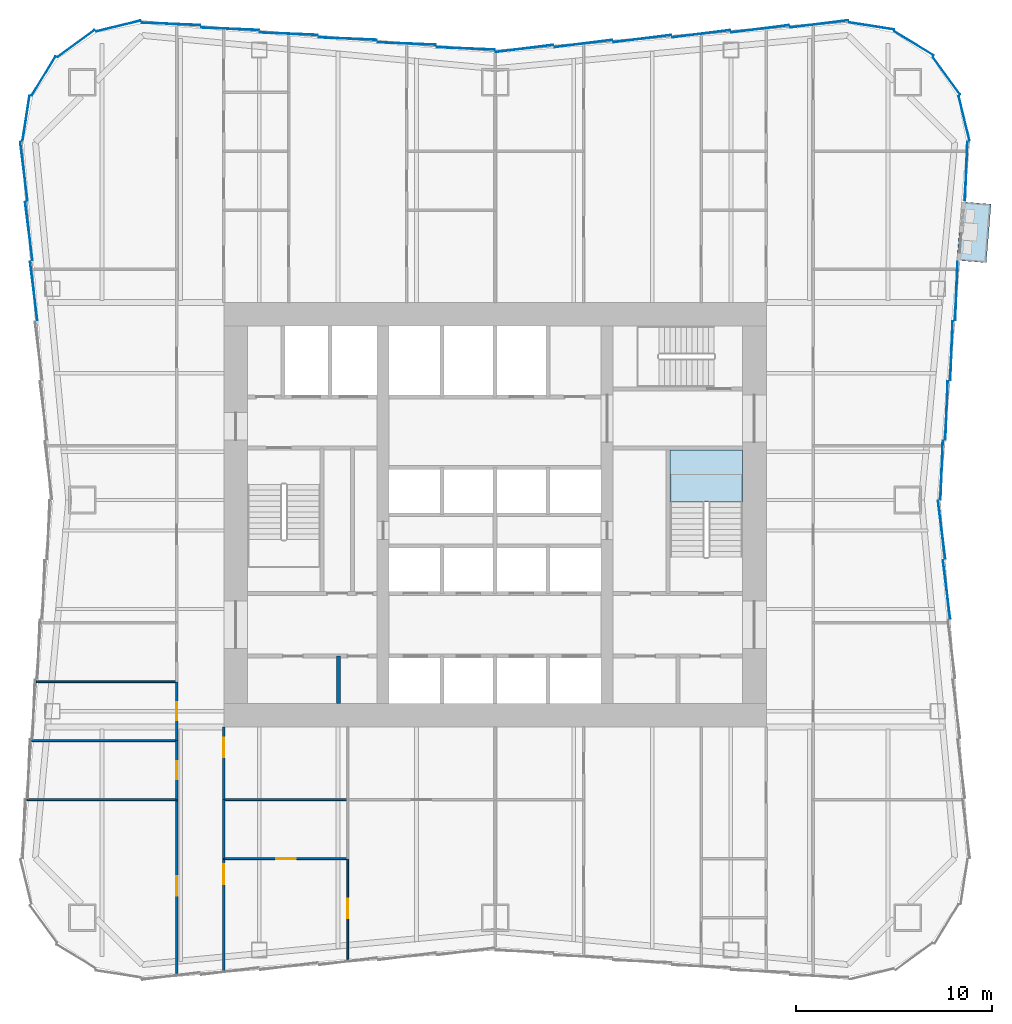
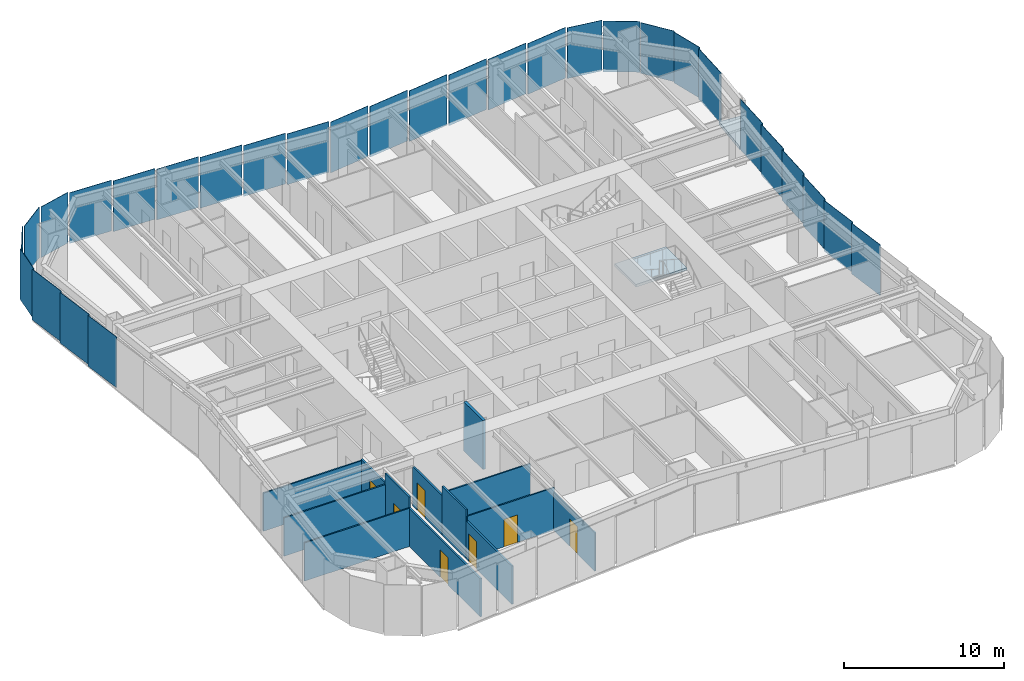
# One storey, part 3 of 9: 30 plates, 13 walls, 7 doors, 2 slabs, 7 openings, 6 elements without a shape of their own.
"""IFC4 building model written with IfcOpenShell, lengths in metres."""

from ifc_helpers import new_model, si_unit, direction, frame, frame_2d, origin, origin_2d, place, context, subcontext, project, spatial, polyline, rectangle, outline, extrude, material, layer, layer_set, type_object, element, fill, aggregate, save


model = new_model("IFC4")

# Units and contexts
model_context = context("Model", 3, precision=1e-05, world=origin(), true_north=direction((0.0, 1.0)))
body_context = subcontext(model_context, "Body", "Model", "MODEL_VIEW")
ifc_project = project(units=[si_unit("LENGTHUNIT", "METRE"), si_unit("AREAUNIT", "SQUARE_METRE"), si_unit("VOLUMEUNIT", "CUBIC_METRE"), si_unit("PLANEANGLEUNIT", "RADIAN"), si_unit("MASSUNIT", "GRAM", prefix="KILO")], contexts=[model_context])

# Site, building, storey
site_placement = place(None, origin())
site = spatial("IfcSite", under=ifc_project, at=site_placement, CompositionType="ELEMENT")
building_placement = place(site_placement, origin())
building = spatial("IfcBuilding", under=site, at=building_placement, Name="Verdant Reach Tower", CompositionType="ELEMENT")
storey_placement = place(building_placement, frame((0.0, 0.0, 110.0)))
storey = spatial("IfcBuildingStorey", under=building, at=storey_placement, Name="L25", CompositionType="ELEMENT", Elevation=110.0)

# Stair, slab
ifc_material_1 = material(Name="Concrete C40/50", Category="concrete")
stair_type = type_object("IfcStairType", Name="CO-STAIR", PredefinedType="HALF_TURN_STAIR", material=ifc_material_1)
stair_placement = place(storey_placement, origin())
stair = element("IfcStair", 1, at=stair_placement, inside=storey, type_object=stair_type, Name="L25 Exit stair 2", PredefinedType="HALF_TURN_STAIR")
ifc_layer_1 = layer(ifc_material_1, 0.199951171875)
ifc_layer_set_1 = layer_set([ifc_layer_1], Name="CO-STAIR-LANDING")
slab_type_1 = type_object("IfcSlabType", Name="CO-STAIR-LANDING", PredefinedType="LANDING", material=ifc_layer_set_1)
slab_1_placement = place(storey_placement, frame((0.0, 0.0, 1.800048828125)))
slab_1 = element("IfcSlab", 2, at=slab_1_placement, type_object=slab_type_1, Name="ST-2 landing 1", PredefinedType="LANDING", context=body_context, shape_type="SweptSolid", body=[
    extrude(outline(polyline([(12.60009765625, 28.64990234375), (12.60009765625, 31.300048828125), (8.89990234375, 31.300048828125), (8.89990234375, 28.64990234375), (12.60009765625, 28.64990234375)])), origin(), (0.0, 0.0, 1.0), 0.199951171875),
])
aggregate(stair, [slab_1])

# Slab
ifc_material_2 = material(Name="Concrete C35/45", Category="concrete")
ifc_layer_2 = layer(ifc_material_2, 0.25)
ifc_layer_set_2 = layer_set([ifc_layer_2], Name="EN-BALCONY SLAB")
slab_type_2 = type_object("IfcSlabType", Name="EN-BALCONY SLAB", PredefinedType="FLOOR", material=ifc_layer_set_2)
slab_2_placement = place(storey_placement, frame((0.0, 0.0, -0.25)))
element("IfcSlab", 3, at=slab_2_placement, inside=storey, type_object=slab_type_2, Name="Balcony slab 1, L25", PredefinedType="FLOOR", context=body_context, shape_type="SweptSolid", body=[
    extrude(outline(polyline([(23.50244140625, 40.947509765625), (23.74755859375, 43.927490234375), (25.242431640625, 43.804443359375), (24.99755859375, 40.82470703125), (23.50244140625, 40.947509765625)])), origin(), (0.0, 0.0, 1.0), 0.25),
])

# Curtain wall, plates
ifc_material_3 = material(Name="Anodised aluminium", Category="aluminium")
curtain_wall_type = type_object("IfcCurtainWallType", Name="EN-CW SYSTEM Z1", PredefinedType="NOTDEFINED", material=ifc_material_3)
curtain_wall_1_placement = place(storey_placement, origin())
curtain_wall_1 = element("IfcCurtainWall", 4, at=curtain_wall_1_placement, inside=storey, type_object=curtain_wall_type, Name="Curtain wall east, L25", PredefinedType="NOTDEFINED")
ifc_material_4 = material(Name="Tinted glass with champagne spandrel", Category="glass")
ifc_layer_3 = layer(ifc_material_4, 0.031982421875)
ifc_layer_set_3 = layer_set([ifc_layer_3], Name="EN-PANEL CHAMPAGNE")
plate_type_1 = type_object("IfcPlateType", Name="EN-PANEL CHAMPAGNE", PredefinedType="CURTAIN_PANEL", material=ifc_layer_set_3)
plate_1_placement = place(storey_placement, frame((22.9775390625, 24.196044921875, -0.22802734375), z_axis=(0.0, 0.0, 1.0), x_axis=(-0.123578623975, 0.992334784081, 0.0)))
plate_1 = element("IfcPlate", 5, at=plate_1_placement, type_object=plate_type_1, Name="Glass panel east face part 1 5.1, L25", PredefinedType="CURTAIN_PANEL", context=body_context, shape_type="SweptSolid", body=[
    extrude(rectangle(XDim=2.993896484375, YDim=0.031982421875, at=origin_2d()), origin(), (0.0, 0.0, 1.0), 3.8779296875),
])
plate_2_placement = place(storey_placement, frame((23.977783203125, 45.477783203125, -0.22802734375), z_axis=(0.0, 0.0, 1.0), x_axis=(0.039784239139, 0.999208293759, 0.0)))
plate_2 = element("IfcPlate", 6, at=plate_2_placement, type_object=plate_type_1, Name="Glass panel east face part 2 6.1, L25", PredefinedType="CURTAIN_PANEL", context=body_context, shape_type="SweptSolid", body=[
    extrude(rectangle(XDim=3.00830078125, YDim=0.031982421875, at=origin_2d()), origin(), (0.0, 0.0, 1.0), 3.8779296875),
])

curtain_wall_2_placement = place(storey_placement, origin())
curtain_wall_2 = element("IfcCurtainWall", 7, at=curtain_wall_2_placement, inside=storey, type_object=curtain_wall_type, Name="Curtain wall north-east corner, L25", PredefinedType="NOTDEFINED")
plate_3_placement = place(storey_placement, frame((21.325439453125, 51.97705078125, -0.22802734375), z_axis=(0.0, 0.0, 1.0), x_axis=(-0.85398868836, 0.520291572248, 0.0)))
plate_3 = element("IfcPlate", 8, at=plate_3_placement, type_object=plate_type_1, Name="Glass panel north-east corner 3.1, L25", PredefinedType="CURTAIN_PANEL", context=body_context, shape_type="SweptSolid", body=[
    extrude(rectangle(XDim=2.3232421875, YDim=0.031982421875, at=origin_2d()), origin(), (0.0, 0.0, 1.0), 3.8779296875),
])
plate_4_placement = place(storey_placement, frame((19.170654296875, 52.87060546875, -0.22802734375), z_axis=(0.0, 0.0, 1.0), x_axis=(-0.988032704995, 0.154244526195, 0.0)))
plate_4 = element("IfcPlate", 9, at=plate_4_placement, type_object=plate_type_1, Name="Glass panel north-east corner 4.1, L25", PredefinedType="CURTAIN_PANEL", context=body_context, shape_type="SweptSolid", body=[
    extrude(rectangle(XDim=2.317626953125, YDim=0.031982421875, at=origin_2d()), origin(), (0.0, 0.0, 1.0), 3.8779296875),
])

curtain_wall_3_placement = place(storey_placement, origin())
curtain_wall_3 = element("IfcCurtainWall", 10, at=curtain_wall_3_placement, inside=storey, type_object=curtain_wall_type, Name="Curtain wall north, L25", PredefinedType="NOTDEFINED")
plate_5_placement = place(storey_placement, frame((13.491455078125, 52.7275390625, -0.22802734375), z_axis=(0.0, 0.0, 1.0), x_axis=(-0.992194034542, -0.124703639961, 0.0)))
plate_5 = element("IfcPlate", 11, at=plate_5_placement, type_object=plate_type_1, Name="Glass panel north face part 1 2.1, L25", PredefinedType="CURTAIN_PANEL", context=body_context, shape_type="SweptSolid", body=[
    extrude(rectangle(XDim=2.952392578125, YDim=0.031982421875, at=origin_2d()), origin(), (0.0, 0.0, 1.0), 3.8779296875),
])
plate_6_placement = place(storey_placement, frame((10.491455078125, 52.4775390625, -0.22802734375), z_axis=(0.0, 0.0, 1.0), x_axis=(-0.992194034542, -0.124703639961, 0.0)))
plate_6 = element("IfcPlate", 12, at=plate_6_placement, type_object=plate_type_1, Name="Glass panel north face part 1 3.1, L25", PredefinedType="CURTAIN_PANEL", context=body_context, shape_type="SweptSolid", body=[
    extrude(rectangle(XDim=2.952392578125, YDim=0.031982421875, at=origin_2d()), origin(), (0.0, 0.0, 1.0), 3.8779296875),
])
plate_7_placement = place(storey_placement, frame((-7.491455078125, 52.2275390625, -0.22802734375), z_axis=(0.0, 0.0, 1.0), x_axis=(-0.999149202059, 0.041241629766, 0.0)))
plate_7 = element("IfcPlate", 13, at=plate_7_placement, type_object=plate_type_1, Name="Glass panel north face part 2 3.1, L25", PredefinedType="CURTAIN_PANEL", context=body_context, shape_type="SweptSolid", body=[
    extrude(rectangle(XDim=2.952392578125, YDim=0.031982421875, at=origin_2d()), origin(), (0.0, 0.0, 1.0), 3.8779296875),
])
plate_8_placement = place(storey_placement, frame((-10.491455078125, 52.4775390625, -0.22802734375), z_axis=(0.0, 0.0, 1.0), x_axis=(-0.999149202059, 0.041241629766, 0.0)))
plate_8 = element("IfcPlate", 14, at=plate_8_placement, type_object=plate_type_1, Name="Glass panel north face part 2 4.1, L25", PredefinedType="CURTAIN_PANEL", context=body_context, shape_type="SweptSolid", body=[
    extrude(rectangle(XDim=2.952392578125, YDim=0.031982421875, at=origin_2d()), origin(), (0.0, 0.0, 1.0), 3.8779296875),
])
plate_9_placement = place(storey_placement, frame((-13.491455078125, 52.7275390625, -0.22802734375), z_axis=(0.0, 0.0, 1.0), x_axis=(-0.999149202059, 0.041241629766, 0.0)))
plate_9 = element("IfcPlate", 15, at=plate_9_placement, type_object=plate_type_1, Name="Glass panel north face part 2 5.1, L25", PredefinedType="CURTAIN_PANEL", context=body_context, shape_type="SweptSolid", body=[
    extrude(rectangle(XDim=2.952392578125, YDim=0.031982421875, at=origin_2d()), origin(), (0.0, 0.0, 1.0), 3.8779296875),
])

curtain_wall_4_placement = place(storey_placement, origin())
curtain_wall_4 = element("IfcCurtainWall", 16, at=curtain_wall_4_placement, inside=storey, type_object=curtain_wall_type, Name="Curtain wall north-west corner, L25", PredefinedType="NOTDEFINED")
plate_10_placement = place(storey_placement, frame((-21.325439453125, 51.97705078125, -0.22802734375), z_axis=(0.0, 0.0, 1.0), x_axis=(-0.807456753161, -0.589926768145, 0.0)))
plate_10 = element("IfcPlate", 17, at=plate_10_placement, type_object=plate_type_1, Name="Glass panel north-west corner 2.1, L25", PredefinedType="CURTAIN_PANEL", context=body_context, shape_type="SweptSolid", body=[
    extrude(rectangle(XDim=2.3232421875, YDim=0.031982421875, at=origin_2d()), origin(), (0.0, 0.0, 1.0), 3.8779296875),
])
plate_11_placement = place(storey_placement, frame((-22.97705078125, 50.325439453125, -0.22802734375), z_axis=(0.0, 0.0, 1.0), x_axis=(-0.520291572248, -0.85398868836, 0.0)))
plate_11 = element("IfcPlate", 18, at=plate_11_placement, type_object=plate_type_1, Name="Glass panel north-west corner 3.1, L25", PredefinedType="CURTAIN_PANEL", context=body_context, shape_type="SweptSolid", body=[
    extrude(rectangle(XDim=2.3232421875, YDim=0.031982421875, at=origin_2d()), origin(), (0.0, 0.0, 1.0), 3.8779296875),
])

# Curtain wall, plate
curtain_wall_5_placement = place(storey_placement, origin())
curtain_wall_5 = element("IfcCurtainWall", 19, at=curtain_wall_5_placement, inside=storey, type_object=curtain_wall_type, Name="Curtain wall west, L25", PredefinedType="NOTDEFINED")
plate_12_placement = place(storey_placement, frame((-23.977783203125, 45.477783203125, -0.22802734375), z_axis=(0.0, 0.0, 1.0), x_axis=(0.123256305275, -0.992374870304, 0.0)))
plate_12 = element("IfcPlate", 20, at=plate_12_placement, type_object=plate_type_1, Name="Glass panel west face part 1 1.1, L25", PredefinedType="CURTAIN_PANEL", context=body_context, shape_type="SweptSolid", body=[
    extrude(rectangle(XDim=3.00830078125, YDim=0.031982421875, at=origin_2d()), origin(), (0.0, 0.0, 1.0), 3.8779296875),
])

# Plate
ifc_material_5 = material(Name="Tinted glass with copper spandrel", Category="glass")
ifc_layer_4 = layer(ifc_material_5, 0.031982421875)
ifc_layer_set_4 = layer_set([ifc_layer_4], Name="EN-PANEL COPPER")
plate_type_2 = type_object("IfcPlateType", Name="EN-PANEL COPPER", PredefinedType="CURTAIN_PANEL", material=ifc_layer_set_4)
plate_13_placement = place(storey_placement, frame((22.727783203125, 27.2333984375, -0.22802734375), z_axis=(0.0, 0.0, 1.0), x_axis=(-0.123691487663, 0.992320722287, 0.0)))
plate_13 = element("IfcPlate", 21, at=plate_13_placement, type_object=plate_type_2, Name="Glass panel east face part 1 6.1, L25", PredefinedType="CURTAIN_PANEL", context=body_context, shape_type="SweptSolid", body=[
    extrude(rectangle(XDim=2.985595703125, YDim=0.031982421875, at=origin_2d()), origin(), (0.0, 0.0, 1.0), 3.8779296875),
])

plate_14_placement = place(storey_placement, frame((22.727783203125, 30.2666015625, -0.22802734375), z_axis=(0.0, 0.0, 1.0), x_axis=(0.040222426271, 0.99919075077, 0.0)))
plate_14 = element("IfcPlate", 22, at=plate_14_placement, type_object=plate_type_2, Name="Glass panel east face part 2 1.1, L25", PredefinedType="CURTAIN_PANEL", context=body_context, shape_type="SweptSolid", body=[
    extrude(rectangle(XDim=2.985595703125, YDim=0.031982421875, at=origin_2d()), origin(), (0.0, 0.0, 1.0), 3.8779296875),
])

plate_15_placement = place(storey_placement, frame((7.491455078125, 52.2275390625, -0.22802734375), z_axis=(0.0, 0.0, 1.0), x_axis=(-0.992194034542, -0.124703639961, 0.0)))
plate_15 = element("IfcPlate", 23, at=plate_15_placement, type_object=plate_type_2, Name="Glass panel north face part 1 4.1, L25", PredefinedType="CURTAIN_PANEL", context=body_context, shape_type="SweptSolid", body=[
    extrude(rectangle(XDim=2.952392578125, YDim=0.031982421875, at=origin_2d()), origin(), (0.0, 0.0, 1.0), 3.8779296875),
])

plate_16_placement = place(storey_placement, frame((4.491455078125, 51.9775390625, -0.22802734375), z_axis=(0.0, 0.0, 1.0), x_axis=(-0.992194034542, -0.124703639961, 0.0)))
plate_16 = element("IfcPlate", 24, at=plate_16_placement, type_object=plate_type_2, Name="Glass panel north face part 1 5.1, L25", PredefinedType="CURTAIN_PANEL", context=body_context, shape_type="SweptSolid", body=[
    extrude(rectangle(XDim=2.952392578125, YDim=0.031982421875, at=origin_2d()), origin(), (0.0, 0.0, 1.0), 3.8779296875),
])

plate_17_placement = place(storey_placement, frame((1.49560546875, 51.727783203125, -0.22802734375), z_axis=(0.0, 0.0, 1.0), x_axis=(-0.992179247355, -0.124821236644, 0.0)))
plate_17 = element("IfcPlate", 25, at=plate_17_placement, type_object=plate_type_2, Name="Glass panel north face part 1 6.1, L25", PredefinedType="CURTAIN_PANEL", context=body_context, shape_type="SweptSolid", body=[
    extrude(rectangle(XDim=2.94384765625, YDim=0.031982421875, at=origin_2d()), origin(), (0.0, 0.0, 1.0), 3.8779296875),
])

plate_18_placement = place(storey_placement, frame((-16.49853515625, 52.977783203125, -0.22802734375), z_axis=(0.0, 0.0, 1.0), x_axis=(-0.999162836679, 0.040909971885, 0.0)))
plate_18 = element("IfcPlate", 26, at=plate_18_placement, type_object=plate_type_2, Name="Glass panel north face part 2 6.1, L25", PredefinedType="CURTAIN_PANEL", context=body_context, shape_type="SweptSolid", body=[
    extrude(rectangle(XDim=2.966796875, YDim=0.031982421875, at=origin_2d()), origin(), (0.0, 0.0, 1.0), 3.8779296875),
])

plate_19_placement = place(storey_placement, frame((-23.87060546875, 48.170654296875, -0.22802734375), z_axis=(0.0, 0.0, 1.0), x_axis=(-0.154247912016, -0.988032176419, 0.0)))
plate_19 = element("IfcPlate", 27, at=plate_19_placement, type_object=plate_type_2, Name="Glass panel north-west corner 4.1, L25", PredefinedType="CURTAIN_PANEL", context=body_context, shape_type="SweptSolid", body=[
    extrude(rectangle(XDim=2.3173828125, YDim=0.031982421875, at=origin_2d()), origin(), (0.0, 0.0, 1.0), 3.8779296875),
])

plate_20_placement = place(storey_placement, frame((-23.7275390625, 42.428955078125, -0.22802734375), z_axis=(0.0, 0.0, 1.0), x_axis=(0.123578623975, -0.992334784081, 0.0)))
plate_20 = element("IfcPlate", 28, at=plate_20_placement, type_object=plate_type_2, Name="Glass panel west face part 1 2.1, L25", PredefinedType="CURTAIN_PANEL", context=body_context, shape_type="SweptSolid", body=[
    extrude(rectangle(XDim=2.993896484375, YDim=0.031982421875, at=origin_2d()), origin(), (0.0, 0.0, 1.0), 3.8779296875),
])

plate_21_placement = place(storey_placement, frame((-23.4775390625, 39.387451171875, -0.22802734375), z_axis=(0.0, 0.0, 1.0), x_axis=(0.123578623975, -0.992334784081, 0.0)))
plate_21 = element("IfcPlate", 29, at=plate_21_placement, type_object=plate_type_2, Name="Glass panel west face part 1 3.1, L25", PredefinedType="CURTAIN_PANEL", context=body_context, shape_type="SweptSolid", body=[
    extrude(rectangle(XDim=2.993896484375, YDim=0.031982421875, at=origin_2d()), origin(), (0.0, 0.0, 1.0), 3.8779296875),
])

aggregate(curtain_wall_5, [plate_12, plate_20, plate_21])

ifc_material_6 = material(Name="Tinted glass with dark bronze spandrel", Category="glass")
ifc_layer_5 = layer(ifc_material_6, 0.031982421875)
ifc_layer_set_5 = layer_set([ifc_layer_5], Name="EN-PANEL DARK")
plate_type_3 = type_object("IfcPlateType", Name="EN-PANEL DARK", PredefinedType="CURTAIN_PANEL", material=ifc_layer_set_5)
plate_22_placement = place(storey_placement, frame((22.9775390625, 33.303955078125, -0.22802734375), z_axis=(0.0, 0.0, 1.0), x_axis=(0.040108781752, 0.999195319057, 0.0)))
plate_22 = element("IfcPlate", 30, at=plate_22_placement, type_object=plate_type_3, Name="Glass panel east face part 2 2.1, L25", PredefinedType="CURTAIN_PANEL", context=body_context, shape_type="SweptSolid", body=[
    extrude(rectangle(XDim=2.993896484375, YDim=0.031982421875, at=origin_2d()), origin(), (0.0, 0.0, 1.0), 3.8779296875),
])

plate_23_placement = place(storey_placement, frame((23.2275390625, 36.345703125, -0.22802734375), z_axis=(0.0, 0.0, 1.0), x_axis=(0.040108781752, 0.999195319057, 0.0)))
plate_23 = element("IfcPlate", 31, at=plate_23_placement, type_object=plate_type_3, Name="Glass panel east face part 2 3.1, L25", PredefinedType="CURTAIN_PANEL", context=body_context, shape_type="SweptSolid", body=[
    extrude(rectangle(XDim=2.993896484375, YDim=0.031982421875, at=origin_2d()), origin(), (0.0, 0.0, 1.0), 3.8779296875),
])

plate_24_placement = place(storey_placement, frame((23.4775390625, 39.387451171875, -0.22802734375), z_axis=(0.0, 0.0, 1.0), x_axis=(0.040108781752, 0.999195319057, 0.0)))
plate_24 = element("IfcPlate", 32, at=plate_24_placement, type_object=plate_type_3, Name="Glass panel east face part 2 4.1, L25", PredefinedType="CURTAIN_PANEL", context=body_context, shape_type="SweptSolid", body=[
    extrude(rectangle(XDim=2.993896484375, YDim=0.031982421875, at=origin_2d()), origin(), (0.0, 0.0, 1.0), 3.8779296875),
])

aggregate(curtain_wall_1, [plate_1, plate_13, plate_14, plate_22, plate_23, plate_24, plate_2])

plate_25_placement = place(storey_placement, frame((23.87060546875, 48.170654296875, -0.22802734375), z_axis=(0.0, 0.0, 1.0), x_axis=(-0.236383344544, 0.971659875894, 0.0)))
plate_25 = element("IfcPlate", 33, at=plate_25_placement, type_object=plate_type_3, Name="Glass panel north-east corner 1.1, L25", PredefinedType="CURTAIN_PANEL", context=body_context, shape_type="SweptSolid", body=[
    extrude(rectangle(XDim=2.3173828125, YDim=0.031982421875, at=origin_2d()), origin(), (0.0, 0.0, 1.0), 3.8779296875),
])

plate_26_placement = place(storey_placement, frame((22.97705078125, 50.325439453125, -0.22802734375), z_axis=(0.0, 0.0, 1.0), x_axis=(-0.589926768145, 0.807456753161, 0.0)))
plate_26 = element("IfcPlate", 34, at=plate_26_placement, type_object=plate_type_3, Name="Glass panel north-east corner 2.1, L25", PredefinedType="CURTAIN_PANEL", context=body_context, shape_type="SweptSolid", body=[
    extrude(rectangle(XDim=2.3232421875, YDim=0.031982421875, at=origin_2d()), origin(), (0.0, 0.0, 1.0), 3.8779296875),
])

aggregate(curtain_wall_2, [plate_25, plate_26, plate_3, plate_4])

plate_27_placement = place(storey_placement, frame((16.49853515625, 52.977783203125, -0.22802734375), z_axis=(0.0, 0.0, 1.0), x_axis=(-0.99223537376, -0.124374286167, 0.0)))
plate_27 = element("IfcPlate", 35, at=plate_27_placement, type_object=plate_type_3, Name="Glass panel north face part 1 1.1, L25", PredefinedType="CURTAIN_PANEL", context=body_context, shape_type="SweptSolid", body=[
    extrude(rectangle(XDim=2.966796875, YDim=0.031982421875, at=origin_2d()), origin(), (0.0, 0.0, 1.0), 3.8779296875),
])

plate_28_placement = place(storey_placement, frame((-1.49560546875, 51.727783203125, -0.22802734375), z_axis=(0.0, 0.0, 1.0), x_axis=(-0.99914430697, 0.041360051381, 0.0)))
plate_28 = element("IfcPlate", 36, at=plate_28_placement, type_object=plate_type_3, Name="Glass panel north face part 2 1.1, L25", PredefinedType="CURTAIN_PANEL", context=body_context, shape_type="SweptSolid", body=[
    extrude(rectangle(XDim=2.94384765625, YDim=0.031982421875, at=origin_2d()), origin(), (0.0, 0.0, 1.0), 3.8779296875),
])

plate_29_placement = place(storey_placement, frame((-4.491455078125, 51.9775390625, -0.22802734375), z_axis=(0.0, 0.0, 1.0), x_axis=(-0.999149202059, 0.041241629766, 0.0)))
plate_29 = element("IfcPlate", 37, at=plate_29_placement, type_object=plate_type_3, Name="Glass panel north face part 2 2.1, L25", PredefinedType="CURTAIN_PANEL", context=body_context, shape_type="SweptSolid", body=[
    extrude(rectangle(XDim=2.952392578125, YDim=0.031982421875, at=origin_2d()), origin(), (0.0, 0.0, 1.0), 3.8779296875),
])

aggregate(curtain_wall_3, [plate_27, plate_5, plate_6, plate_15, plate_16, plate_17, plate_28, plate_29, plate_7, plate_8, plate_9, plate_18])

plate_30_placement = place(storey_placement, frame((-19.170654296875, 52.87060546875, -0.22802734375), z_axis=(0.0, 0.0, 1.0), x_axis=(-0.971660685934, -0.236380014828, 0.0)))
plate_30 = element("IfcPlate", 38, at=plate_30_placement, type_object=plate_type_3, Name="Glass panel north-west corner 1.1, L25", PredefinedType="CURTAIN_PANEL", context=body_context, shape_type="SweptSolid", body=[
    extrude(rectangle(XDim=2.317626953125, YDim=0.031982421875, at=origin_2d()), origin(), (0.0, 0.0, 1.0), 3.8779296875),
])

aggregate(curtain_wall_4, [plate_30, plate_10, plate_11, plate_19])

# Walls
ifc_material_7 = material(Name="Gypsum board on steel studs", Category="steel")
ifc_layer_6 = layer(ifc_material_7, 0.199951171875)
ifc_layer_set_6 = layer_set([ifc_layer_6], Name="CO-WALL-ROOM")
wall_type_1 = type_object("IfcWallType", Name="CO-WALL-ROOM", PredefinedType="PARTITIONING", material=ifc_layer_set_6)
wall_1_placement = place(storey_placement, frame((-7.97998046875, 18.39990234375, 0.0), z_axis=(0.0, 0.0, 1.0), x_axis=(0.0, 1.0, 0.0)))
element("IfcWall", 39, at=wall_1_placement, inside=storey, type_object=wall_type_1, Name="Core partition, L25", PredefinedType="PARTITIONING", context=body_context, shape_type="SweptSolid", body=[
    extrude(rectangle(XDim=2.400146484375, YDim=0.199951171875, at=frame_2d((1.2001953125, 0.0))), origin(), (0.0, 0.0, 1.0), 3.75),
])
ifc_layer_7 = layer(ifc_material_7, 0.10009765625)
ifc_layer_set_7 = layer_set([ifc_layer_7], Name="FL-W1 Partition 100")
wall_type_2 = type_object("IfcWallType", Name="FL-W1 Partition 100", PredefinedType="PARTITIONING", material=ifc_layer_set_7)
wall_2_placement = place(storey_placement, frame((-16.199951171875, 13.5, 0.0), z_axis=(0.0, 0.0, 1.0), x_axis=(-1.0, 0.0, 0.0)))
element("IfcWall", 40, at=wall_2_placement, inside=storey, type_object=wall_type_2, Name="Partition 25.27", PredefinedType="PARTITIONING", context=body_context, shape_type="SweptSolid", body=[
    extrude(rectangle(XDim=7.633544921875, YDim=0.10009765625, at=frame_2d((3.81689453125, 0.0))), origin(), (0.0, 0.0, 1.0), 2.919921875),
])
wall_3_placement = place(storey_placement, frame((-16.199951171875, 16.5, 0.0), z_axis=(0.0, 0.0, 1.0), x_axis=(-1.0, 0.0, 0.0)))
element("IfcWall", 41, at=wall_3_placement, inside=storey, type_object=wall_type_2, Name="Partition 25.28", PredefinedType="PARTITIONING", context=body_context, shape_type="SweptSolid", body=[
    extrude(rectangle(XDim=7.386962890625, YDim=0.10009765625, at=frame_2d((3.693359375, 0.0))), origin(), (0.0, 0.0, 1.0), 2.919921875),
])
wall_4_placement = place(storey_placement, frame((-16.199951171875, 19.5, 0.0), z_axis=(0.0, 0.0, 1.0), x_axis=(-1.0, 0.0, 0.0)))
element("IfcWall", 42, at=wall_4_placement, inside=storey, type_object=wall_type_2, Name="Partition 25.29", PredefinedType="PARTITIONING", context=body_context, shape_type="SweptSolid", body=[
    extrude(rectangle(XDim=7.140380859375, YDim=0.10009765625, at=frame_2d((3.5703125, 0.0))), origin(), (0.0, 0.0, 1.0), 2.919921875),
])

# Wall, opening, door
wall_5_placement = place(storey_placement, frame((-13.800048828125, 10.5, 0.0), z_axis=(0.0, 0.0, 1.0), x_axis=(1.0, 0.0, 0.0)))
wall_5 = element("IfcWall", 43, at=wall_5_placement, inside=storey, type_object=wall_type_2, Name="Partition 25.38", PredefinedType="PARTITIONING", context=body_context, shape_type="SweptSolid", body=[
    extrude(rectangle(XDim=6.300048828125, YDim=0.10009765625, at=frame_2d((3.14990234375, 0.0))), origin(), (0.0, 0.0, 1.0), 3.27001953125),
])
opening_1_placement = place(wall_5_placement, frame((2.64990234375, 0.0, 0.0)))
opening_1 = element("IfcOpeningElement", 44, at=opening_1_placement, cuts=wall_5, Name="Opening D3", PredefinedType="OPENING", context=body_context, shape_type="SweptSolid", body=[
    extrude(rectangle(XDim=1.0, YDim=2.10009765625, at=frame_2d((0.5, 1.050048828125))), frame((0.0, 0.06005859375, 0.0), z_axis=(0.0, -1.0, 0.0), x_axis=(1.0, 0.0, 0.0)), (0.0, 0.0, 1.0), 0.1201171875),
])
ifc_material_8 = material(Name="Painted timber door leaf", Category="wood")
door_type_1 = type_object("IfcDoorType", Name="FL-D3 Door 1000x2100", OperationType="NOTDEFINED", PredefinedType="DOOR", material=ifc_material_8)
door_1_placement = place(opening_1_placement, origin())
door_1 = element("IfcDoor", 45, at=door_1_placement, inside=storey, type_object=door_type_1, Name="Door 25-026", OperationType="SINGLE_SWING_RIGHT", OverallHeight=2.10009765625, OverallWidth=1.0, PredefinedType="DOOR", context=body_context, shape_type="SweptSolid", body=[
    extrude(rectangle(XDim=1.0, YDim=2.10009765625, at=frame_2d((0.5, 1.050048828125))), frame((0.0, 0.02490234375, 0.0), z_axis=(0.0, -1.0, 0.0), x_axis=(1.0, 0.0, 0.0)), (0.0, 0.0, 1.0), 0.050048828125),
])
fill(opening_1, door_1)

wall_6_placement = place(storey_placement, frame((-7.5, 10.50390625, 0.0), z_axis=(0.0, 0.0, 1.0), x_axis=(0.0, -1.0, 0.0)))
wall_6 = element("IfcWall", 46, at=wall_6_placement, inside=storey, type_object=wall_type_2, Name="Partition 25.39", PredefinedType="PARTITIONING", context=body_context, shape_type="SweptSolid", body=[
    extrude(rectangle(XDim=5.208984375, YDim=0.10009765625, at=frame_2d((2.6044921875, 0.0))), origin(), (0.0, 0.0, 1.0), 2.919921875),
])
opening_2_placement = place(wall_6_placement, frame((2.039306640625, 0.0, 0.0)))
opening_2 = element("IfcOpeningElement", 47, at=opening_2_placement, cuts=wall_6, Name="Opening D3", PredefinedType="OPENING", context=body_context, shape_type="SweptSolid", body=[
    extrude(rectangle(XDim=1.0, YDim=2.10009765625, at=frame_2d((0.5, 1.050048828125))), frame((0.0, 0.06005859375, 0.0), z_axis=(0.0, -1.0, 0.0), x_axis=(1.0, 0.0, 0.0)), (0.0, 0.0, 1.0), 0.1201171875),
])
door_2_placement = place(opening_2_placement, origin())
door_2 = element("IfcDoor", 48, at=door_2_placement, inside=storey, type_object=door_type_1, Name="Door 25-027", OperationType="SINGLE_SWING_LEFT", OverallHeight=2.10009765625, OverallWidth=1.0, PredefinedType="DOOR", context=body_context, shape_type="SweptSolid", body=[
    extrude(rectangle(XDim=1.0, YDim=2.10009765625, at=frame_2d((0.5, 1.050048828125))), frame((0.0, 0.02490234375, 0.0), z_axis=(0.0, -1.0, 0.0), x_axis=(1.0, 0.0, 0.0)), (0.0, 0.0, 1.0), 0.050048828125),
])
fill(opening_2, door_2)

# Wall
wall_7_placement = place(storey_placement, frame((-7.5, 13.5, 0.0), z_axis=(0.0, 0.0, 1.0), x_axis=(-1.0, 0.0, 0.0)))
element("IfcWall", 49, at=wall_7_placement, inside=storey, type_object=wall_type_2, Name="Partition 25.40", PredefinedType="PARTITIONING", context=body_context, shape_type="SweptSolid", body=[
    extrude(rectangle(XDim=6.300048828125, YDim=0.10009765625, at=frame_2d((3.14990234375, 0.0))), origin(), (0.0, 0.0, 1.0), 3.27001953125),
])

# Wall, opening, door
ifc_material_9 = material(Name="Gypsum board on steel studs, fire rated", Category="steel")
ifc_layer_8 = layer(ifc_material_9, 0.125)
ifc_layer_set_8 = layer_set([ifc_layer_8], Name="FL-W2 Corridor wall 125")
wall_type_3 = type_object("IfcWallType", Name="FL-W2 Corridor wall 125", PredefinedType="PARTITIONING", material=ifc_layer_set_8)
wall_8_placement = place(storey_placement, frame((-16.199951171875, 4.570068359375, 0.0), z_axis=(0.0, 0.0, 1.0), x_axis=(0.0, 1.0, 0.0)))
wall_8 = element("IfcWall", 50, at=wall_8_placement, inside=storey, type_object=wall_type_3, Name="Partition 25.01", PredefinedType="PARTITIONING", context=body_context, shape_type="SweptSolid", body=[
    extrude(rectangle(XDim=8.929931640625, YDim=0.125, at=frame_2d((4.46484375, 0.0))), origin(), (0.0, 0.0, 1.0), 2.919921875),
])
opening_3_placement = place(wall_8_placement, frame((4.030029296875, 0.0, 0.0)))
opening_3 = element("IfcOpeningElement", 51, at=opening_3_placement, cuts=wall_8, Name="Opening D2", PredefinedType="OPENING", context=body_context, shape_type="SweptSolid", body=[
    extrude(rectangle(XDim=1.0, YDim=2.10009765625, at=frame_2d((0.5, 1.050048828125))), frame((0.0, 0.072509765625, 0.0), z_axis=(0.0, -1.0, 0.0), x_axis=(1.0, 0.0, 0.0)), (0.0, 0.0, 1.0), 0.14501953125),
])
ifc_material_10 = material(Name="Timber door leaf, fire rated", Category="wood")
door_type_2 = type_object("IfcDoorType", Name="FL-D2 Entrance door 1000x2100 FD30", OperationType="NOTDEFINED", PredefinedType="DOOR", material=ifc_material_10)
door_3_placement = place(opening_3_placement, origin())
door_3 = element("IfcDoor", 52, at=door_3_placement, inside=storey, type_object=door_type_2, Name="Door 25-001", OperationType="SINGLE_SWING_RIGHT", OverallHeight=2.10009765625, OverallWidth=1.0, PredefinedType="DOOR", context=body_context, shape_type="SweptSolid", body=[
    extrude(rectangle(XDim=1.0, YDim=2.10009765625, at=frame_2d((0.5, 1.050048828125))), frame((0.0, 0.02490234375, 0.0), z_axis=(0.0, -1.0, 0.0), x_axis=(1.0, 0.0, 0.0)), (0.0, 0.0, 1.0), 0.050048828125),
])
fill(opening_3, door_3)

wall_9_placement = place(storey_placement, frame((-16.199951171875, 13.5, 0.0), z_axis=(0.0, 0.0, 1.0), x_axis=(0.0, 1.0, 0.0)))
wall_9 = element("IfcWall", 53, at=wall_9_placement, inside=storey, type_object=wall_type_3, Name="Partition 25.02", PredefinedType="PARTITIONING", context=body_context, shape_type="SweptSolid", body=[
    extrude(rectangle(XDim=3.0, YDim=0.125, at=frame_2d((1.5, 0.0))), origin(), (0.0, 0.0, 1.0), 3.75),
])
opening_4_placement = place(wall_9_placement, frame((1.050048828125, 0.0, 0.0)))
opening_4 = element("IfcOpeningElement", 54, at=opening_4_placement, cuts=wall_9, Name="Opening D1", PredefinedType="OPENING", context=body_context, shape_type="SweptSolid", body=[
    extrude(rectangle(XDim=0.89990234375, YDim=2.10009765625, at=frame_2d((0.449951171875, 1.050048828125))), frame((0.0, 0.072509765625, 0.0), z_axis=(0.0, -1.0, 0.0), x_axis=(1.0, 0.0, 0.0)), (0.0, 0.0, 1.0), 0.14501953125),
])
door_type_3 = type_object("IfcDoorType", Name="FL-D1 Door 900x2100", OperationType="NOTDEFINED", PredefinedType="DOOR", material=ifc_material_8)
door_4_placement = place(opening_4_placement, origin())
door_4 = element("IfcDoor", 55, at=door_4_placement, inside=storey, type_object=door_type_3, Name="Door 25-002", OperationType="SINGLE_SWING_RIGHT", OverallHeight=2.10009765625, OverallWidth=0.89990234375, PredefinedType="DOOR", context=body_context, shape_type="SweptSolid", body=[
    extrude(rectangle(XDim=0.89990234375, YDim=2.10009765625, at=frame_2d((0.449951171875, 1.050048828125))), frame((0.0, 0.02490234375, 0.0), z_axis=(0.0, -1.0, 0.0), x_axis=(1.0, 0.0, 0.0)), (0.0, 0.0, 1.0), 0.050048828125),
])
fill(opening_4, door_4)

wall_10_placement = place(storey_placement, frame((-16.199951171875, 16.5, 0.0), z_axis=(0.0, 0.0, 1.0), x_axis=(0.0, 1.0, 0.0)))
wall_10 = element("IfcWall", 56, at=wall_10_placement, inside=storey, type_object=wall_type_3, Name="Partition 25.03", PredefinedType="PARTITIONING", context=body_context, shape_type="SweptSolid", body=[
    extrude(rectangle(XDim=3.0, YDim=0.125, at=frame_2d((1.5, 0.0))), origin(), (0.0, 0.0, 1.0), 3.02001953125),
])
opening_5_placement = place(wall_10_placement, frame((1.050048828125, 0.0, 0.0)))
opening_5 = element("IfcOpeningElement", 57, at=opening_5_placement, cuts=wall_10, Name="Opening D1", PredefinedType="OPENING", context=body_context, shape_type="SweptSolid", body=[
    extrude(rectangle(XDim=0.89990234375, YDim=2.10009765625, at=frame_2d((0.449951171875, 1.050048828125))), frame((0.0, 0.072509765625, 0.0), z_axis=(0.0, -1.0, 0.0), x_axis=(1.0, 0.0, 0.0)), (0.0, 0.0, 1.0), 0.14501953125),
])
door_5_placement = place(opening_5_placement, origin())
door_5 = element("IfcDoor", 58, at=door_5_placement, inside=storey, type_object=door_type_3, Name="Door 25-003", OperationType="SINGLE_SWING_LEFT", OverallHeight=2.10009765625, OverallWidth=0.89990234375, PredefinedType="DOOR", context=body_context, shape_type="SweptSolid", body=[
    extrude(rectangle(XDim=0.89990234375, YDim=2.10009765625, at=frame_2d((0.449951171875, 1.050048828125))), frame((0.0, 0.02490234375, 0.0), z_axis=(0.0, -1.0, 0.0), x_axis=(1.0, 0.0, 0.0)), (0.0, 0.0, 1.0), 0.050048828125),
])
fill(opening_5, door_5)

wall_11_placement = place(storey_placement, frame((-13.800048828125, 10.5, 0.0), z_axis=(0.0, 0.0, 1.0), x_axis=(0.0, -1.0, 0.0)))
wall_11 = element("IfcWall", 59, at=wall_11_placement, inside=storey, type_object=wall_type_3, Name="Partition 25.08", PredefinedType="PARTITIONING", context=body_context, shape_type="SweptSolid", body=[
    extrude(rectangle(XDim=5.72998046875, YDim=0.125, at=frame_2d((2.864990234375, 0.0))), origin(), (0.0, 0.0, 1.0), 2.919921875),
])
opening_6_placement = place(wall_11_placement, frame((0.2998046875, 0.0, 0.0)))
opening_6 = element("IfcOpeningElement", 60, at=opening_6_placement, cuts=wall_11, Name="Opening D2", PredefinedType="OPENING", context=body_context, shape_type="SweptSolid", body=[
    extrude(rectangle(XDim=1.0, YDim=2.10009765625, at=frame_2d((0.5, 1.050048828125))), frame((0.0, 0.072509765625, 0.0), z_axis=(0.0, -1.0, 0.0), x_axis=(1.0, 0.0, 0.0)), (0.0, 0.0, 1.0), 0.14501953125),
])
door_6_placement = place(opening_6_placement, origin())
door_6 = element("IfcDoor", 61, at=door_6_placement, inside=storey, type_object=door_type_2, Name="Door 25-008", OperationType="SINGLE_SWING_LEFT", OverallHeight=2.10009765625, OverallWidth=1.0, PredefinedType="DOOR", context=body_context, shape_type="SweptSolid", body=[
    extrude(rectangle(XDim=1.0, YDim=2.10009765625, at=frame_2d((0.5, 1.050048828125))), frame((0.0, 0.02490234375, 0.0), z_axis=(0.0, -1.0, 0.0), x_axis=(1.0, 0.0, 0.0)), (0.0, 0.0, 1.0), 0.050048828125),
])
fill(opening_6, door_6)

# Wall
wall_12_placement = place(storey_placement, frame((-13.800048828125, 10.5, 0.0), z_axis=(0.0, 0.0, 1.0), x_axis=(0.0, 1.0, 0.0)))
element("IfcWall", 62, at=wall_12_placement, inside=storey, type_object=wall_type_3, Name="Partition 25.09", PredefinedType="PARTITIONING", context=body_context, shape_type="SweptSolid", body=[
    extrude(rectangle(XDim=3.0, YDim=0.125, at=frame_2d((1.5, 0.0))), origin(), (0.0, 0.0, 1.0), 3.75),
])

# Wall, opening, door
wall_13_placement = place(storey_placement, frame((-13.800048828125, 17.199951171875, 0.0), z_axis=(0.0, 0.0, 1.0), x_axis=(0.0, -1.0, 0.0)))
wall_13 = element("IfcWall", 63, at=wall_13_placement, inside=storey, type_object=wall_type_3, Name="Partition 25.10", PredefinedType="PARTITIONING", context=body_context, shape_type="SweptSolid", body=[
    extrude(rectangle(XDim=3.699951171875, YDim=0.125, at=frame_2d((1.85009765625, 0.0))), origin(), (0.0, 0.0, 1.0), 3.02001953125),
])
opening_7_placement = place(wall_13_placement, frame((0.550048828125, 0.0, 0.0)))
opening_7 = element("IfcOpeningElement", 64, at=opening_7_placement, cuts=wall_13, Name="Opening D2", PredefinedType="OPENING", context=body_context, shape_type="SweptSolid", body=[
    extrude(rectangle(XDim=1.0, YDim=2.10009765625, at=frame_2d((0.5, 1.050048828125))), frame((0.0, 0.072509765625, 0.0), z_axis=(0.0, -1.0, 0.0), x_axis=(1.0, 0.0, 0.0)), (0.0, 0.0, 1.0), 0.14501953125),
])
door_7_placement = place(opening_7_placement, origin())
door_7 = element("IfcDoor", 65, at=door_7_placement, inside=storey, type_object=door_type_2, Name="Door 25-009", OperationType="SINGLE_SWING_LEFT", OverallHeight=2.10009765625, OverallWidth=1.0, PredefinedType="DOOR", context=body_context, shape_type="SweptSolid", body=[
    extrude(rectangle(XDim=1.0, YDim=2.10009765625, at=frame_2d((0.5, 1.050048828125))), frame((0.0, 0.02490234375, 0.0), z_axis=(0.0, -1.0, 0.0), x_axis=(1.0, 0.0, 0.0)), (0.0, 0.0, 1.0), 0.050048828125),
])
fill(opening_7, door_7)

save(model, "model.ifc")
